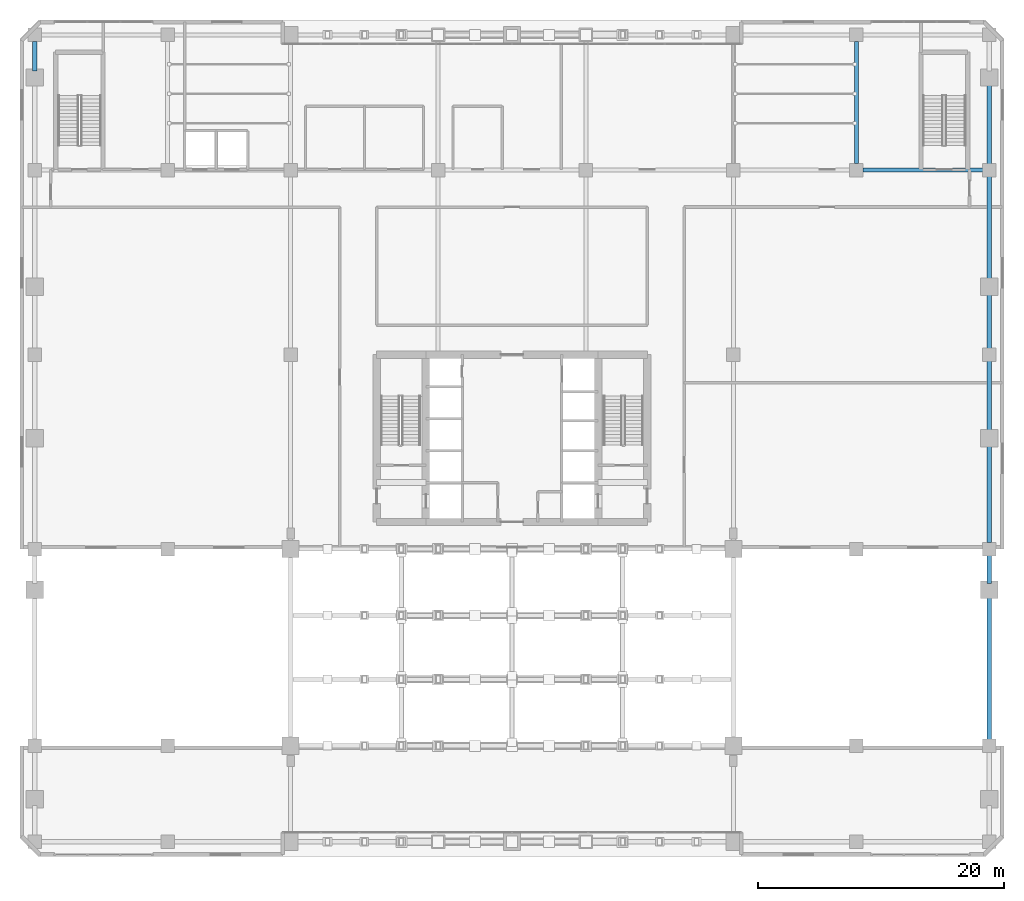
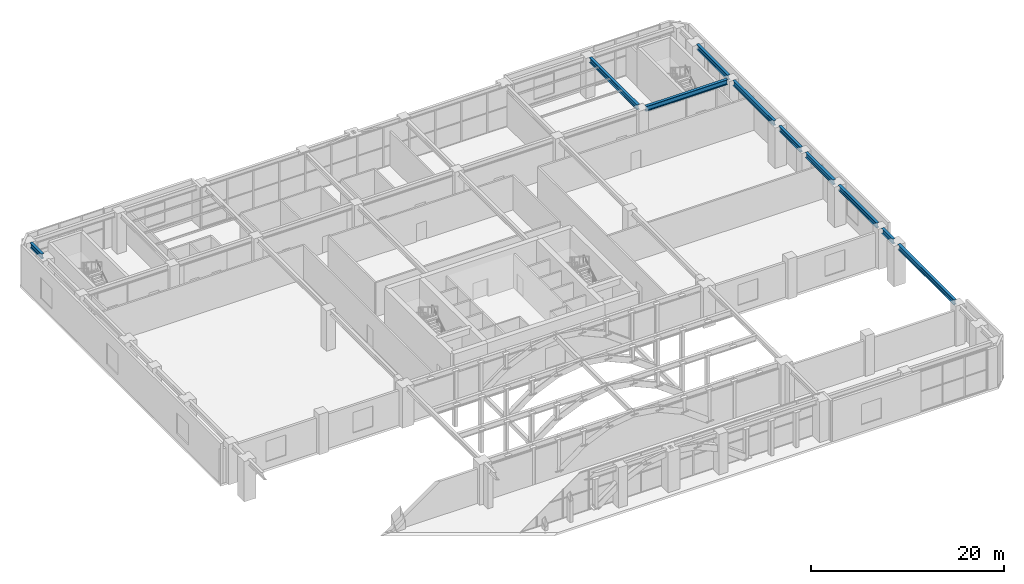
# One storey, part 13 of 32: 10 beams.
"""IFC4 building model written with IfcOpenShell, lengths in metres."""

from ifc_helpers import new_model, si_unit, direction, frame, origin, origin_2d, place, context, subcontext, project, spatial, i_section, extrude, material, material_profile, profile_set, type_object, element, save


model = new_model("IFC4")

# Units and contexts
model_context = context("Model", 3, precision=1e-05, world=origin(), true_north=direction((0.0, 1.0)))
body_context = subcontext(model_context, "Body", "Model", "MODEL_VIEW")
ifc_project = project(units=[si_unit("LENGTHUNIT", "METRE"), si_unit("AREAUNIT", "SQUARE_METRE"), si_unit("VOLUMEUNIT", "CUBIC_METRE"), si_unit("PLANEANGLEUNIT", "RADIAN"), si_unit("MASSUNIT", "GRAM", prefix="KILO")], contexts=[model_context])

# Site, building, storey
site_placement = place(None, origin())
site = spatial("IfcSite", under=ifc_project, at=site_placement, CompositionType="ELEMENT")
building_placement = place(site_placement, origin())
building = spatial("IfcBuilding", under=site, at=building_placement, Name="Sarneth Arch Tower", CompositionType="ELEMENT")
storey_placement = place(building_placement, frame((0.0, 0.0, 11.39990234375)))
storey = spatial("IfcBuildingStorey", under=building, at=storey_placement, Name="L02", CompositionType="ELEMENT", Elevation=11.39990234375)

# Beams
ifc_material = material(Name="Steel S355", Category="steel")
ifc_material_profile = material_profile(ifc_material, i_section(OverallWidth=0.3291015625, OverallDepth=0.635009765625, WebThickness=0.017822265625, FlangeThickness=0.031005859375, FilletRadius=0.01904296875, at=origin_2d()), Name="W610x241")
ifc_profile_set = profile_set([ifc_material_profile], Name="Steel S355")
beam_type = type_object("IfcBeamType", Name="BM-POD-610", PredefinedType="BEAM", material=ifc_profile_set)
beam_1_placement = place(storey_placement, frame((76.52001953125, 63.800048828125, 4.78271484375), z_axis=(1.0, 0.0, 0.0), x_axis=(0.0, 1.0, 0.0)))
element("IfcBeam", 1, at=beam_1_placement, inside=storey, type_object=beam_type, Name="L02 Podium PC girder 7", PredefinedType="BEAM", context=body_context, shape_type="SweptSolid", body=[
    extrude(i_section(OverallWidth=0.3291015625, OverallDepth=0.635009765625, WebThickness=0.017822265625, FlangeThickness=0.031005859375, FilletRadius=0.01904296875, at=origin_2d()), origin(), (0.0, 0.0, 1.0), 9.760009765625),
])
beam_2_placement = place(storey_placement, frame((9.199951171875, 71.856689453125, 4.78271484375), z_axis=(0.0, 1.0, 0.0), x_axis=(-1.0, 0.0, 0.0)))
element("IfcBeam", 2, at=beam_2_placement, inside=storey, type_object=beam_type, Name="L02 Podium PW girder 10", PredefinedType="BEAM", context=body_context, shape_type="SweptSolid", body=[
    extrude(i_section(OverallWidth=0.3291015625, OverallDepth=0.635009765625, WebThickness=0.017822265625, FlangeThickness=0.031005859375, FilletRadius=0.01904296875, at=origin_2d()), origin(), (0.0, 0.0, 1.0), 2.42333984375),
])
beam_3_placement = place(storey_placement, frame((86.800048828125, 17.52001953125, 4.78271484375), z_axis=(0.0, 1.0, 0.0), x_axis=(-1.0, 0.0, 0.0)))
element("IfcBeam", 3, at=beam_3_placement, inside=storey, type_object=beam_type, Name="L02 Podium PE girder 3", PredefinedType="BEAM", context=body_context, shape_type="SweptSolid", body=[
    extrude(i_section(OverallWidth=0.3291015625, OverallDepth=0.635009765625, WebThickness=0.017822265625, FlangeThickness=0.031005859375, FilletRadius=0.01904296875, at=origin_2d()), origin(), (0.0, 0.0, 1.0), 11.64208984375),
])
beam_4_placement = place(storey_placement, frame((86.800048828125, 30.2021484375, 4.78271484375), z_axis=(0.0, 1.0, 0.0), x_axis=(-1.0, 0.0, 0.0)))
element("IfcBeam", 4, at=beam_4_placement, inside=storey, type_object=beam_type, Name="L02 Podium PE girder 4", PredefinedType="BEAM", context=body_context, shape_type="SweptSolid", body=[
    extrude(i_section(OverallWidth=0.3291015625, OverallDepth=0.635009765625, WebThickness=0.017822265625, FlangeThickness=0.031005859375, FilletRadius=0.01904296875, at=origin_2d()), origin(), (0.0, 0.0, 1.0), 2.27783203125),
])
beam_5_placement = place(storey_placement, frame((86.800048828125, 33.52001953125, 4.78271484375), z_axis=(0.0, 1.0, 0.0), x_axis=(-1.0, 0.0, 0.0)))
element("IfcBeam", 5, at=beam_5_placement, inside=storey, type_object=beam_type, Name="L02 Podium PE girder 5", PredefinedType="BEAM", context=body_context, shape_type="SweptSolid", body=[
    extrude(i_section(OverallWidth=0.3291015625, OverallDepth=0.635009765625, WebThickness=0.017822265625, FlangeThickness=0.031005859375, FilletRadius=0.01904296875, at=origin_2d()), origin(), (0.0, 0.0, 1.0), 7.9599609375),
])
beam_6_placement = place(storey_placement, frame((86.800048828125, 42.52001953125, 4.78271484375), z_axis=(0.0, 1.0, 0.0), x_axis=(-1.0, 0.0, 0.0)))
element("IfcBeam", 6, at=beam_6_placement, inside=storey, type_object=beam_type, Name="L02 Podium PE girder 6", PredefinedType="BEAM", context=body_context, shape_type="SweptSolid", body=[
    extrude(i_section(OverallWidth=0.3291015625, OverallDepth=0.635009765625, WebThickness=0.017822265625, FlangeThickness=0.031005859375, FilletRadius=0.01904296875, at=origin_2d()), origin(), (0.0, 0.0, 1.0), 5.760009765625),
])
beam_7_placement = place(storey_placement, frame((86.800048828125, 49.320068359375, 4.78271484375), z_axis=(0.0, 1.0, 0.0), x_axis=(-1.0, 0.0, 0.0)))
element("IfcBeam", 7, at=beam_7_placement, inside=storey, type_object=beam_type, Name="L02 Podium PE girder 7", PredefinedType="BEAM", context=body_context, shape_type="SweptSolid", body=[
    extrude(i_section(OverallWidth=0.3291015625, OverallDepth=0.635009765625, WebThickness=0.017822265625, FlangeThickness=0.031005859375, FilletRadius=0.01904296875, at=origin_2d()), origin(), (0.0, 0.0, 1.0), 4.477783203125),
])
beam_8_placement = place(storey_placement, frame((86.800048828125, 54.837890625, 4.78271484375), z_axis=(0.0, 1.0, 0.0), x_axis=(-1.0, 0.0, 0.0)))
element("IfcBeam", 8, at=beam_8_placement, inside=storey, type_object=beam_type, Name="L02 Podium PE girder 8", PredefinedType="BEAM", context=body_context, shape_type="SweptSolid", body=[
    extrude(i_section(OverallWidth=0.3291015625, OverallDepth=0.635009765625, WebThickness=0.017822265625, FlangeThickness=0.031005859375, FilletRadius=0.01904296875, at=origin_2d()), origin(), (0.0, 0.0, 1.0), 8.442138671875),
])
beam_9_placement = place(storey_placement, frame((86.800048828125, 64.320068359375, 4.78271484375), z_axis=(0.0, 1.0, 0.0), x_axis=(-1.0, 0.0, 0.0)))
element("IfcBeam", 9, at=beam_9_placement, inside=storey, type_object=beam_type, Name="L02 Podium PE girder 9", PredefinedType="BEAM", context=body_context, shape_type="SweptSolid", body=[
    extrude(i_section(OverallWidth=0.3291015625, OverallDepth=0.635009765625, WebThickness=0.017822265625, FlangeThickness=0.031005859375, FilletRadius=0.01904296875, at=origin_2d()), origin(), (0.0, 0.0, 1.0), 6.49658203125),
])
beam_10_placement = place(storey_placement, frame((76.0, 64.35009765625, 4.78271484375), z_axis=(0.0, 1.0, 0.0), x_axis=(-1.0, 0.0, 0.0)))
element("IfcBeam", 10, at=beam_10_placement, inside=storey, type_object=beam_type, Name="L02 Skylight support girder SKE", PredefinedType="BEAM", context=body_context, shape_type="SweptSolid", body=[
    extrude(i_section(OverallWidth=0.3291015625, OverallDepth=0.635009765625, WebThickness=0.017822265625, FlangeThickness=0.031005859375, FilletRadius=0.01904296875, at=origin_2d()), origin(), (0.0, 0.0, 1.0), 9.89990234375),
])

save(model, "model.ifc")
